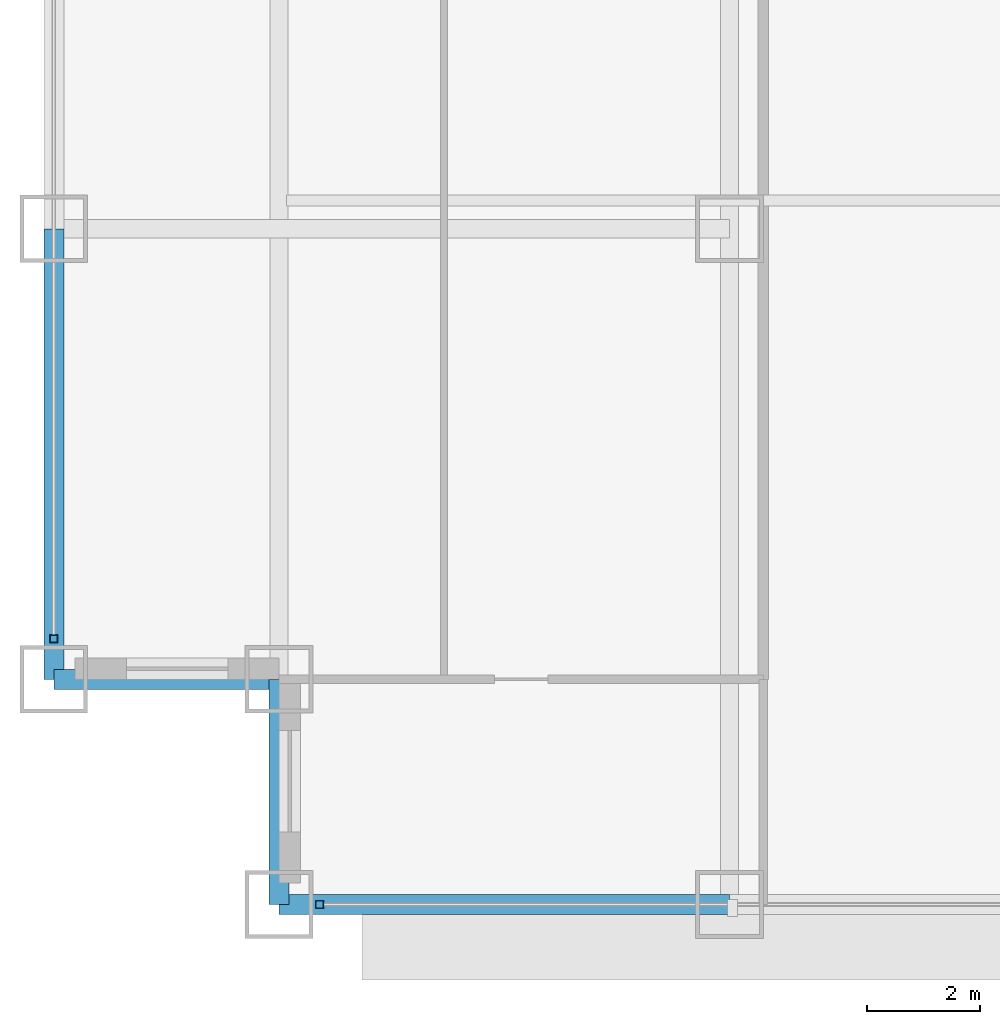
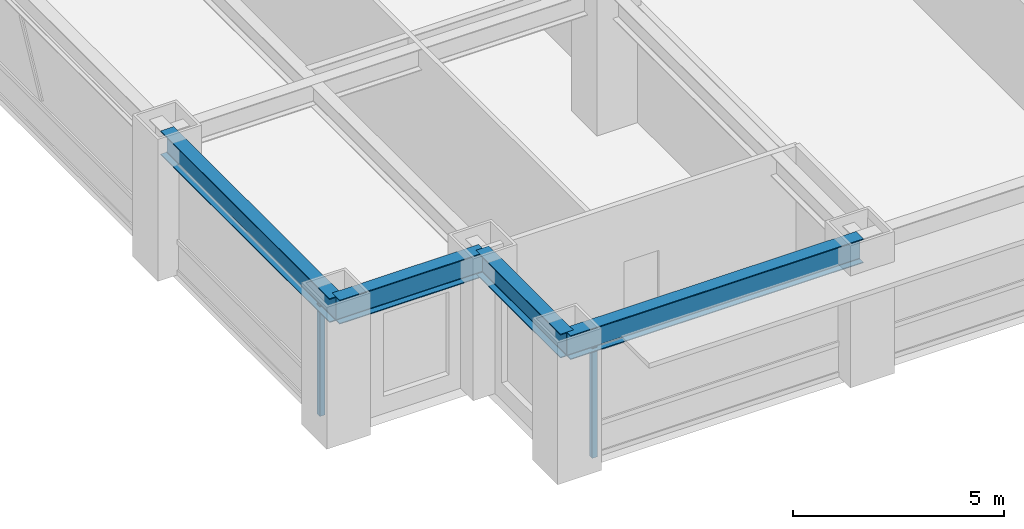
# One storey, part 2 of 32: 4 beams, 2 members, 2 elements without a shape of their own.
"""IFC4 building model written with IfcOpenShell, lengths in metres."""

import ifcopenshell
import ifcopenshell.guid

model = None  # the IFC model being written
_history = None  # IfcOwnerHistory: only IFC2X3 demands one
_inside = {}  # id of a spatial element -> (the spatial element, [elements in it])
_under = {}  # id of a project, library or spatial element -> (it, [spatial elements below it])
_declared = {}  # id of a project -> (the project, [libraries it declares])
_typed = {}  # id of a type object -> (the type object, [elements of that type])
_made_of = {}  # id of a material, layer set ... -> (it, [elements and type objects made of it])


def new_model(schema):
    """Start an empty IFC model of exactly this schema.

    Asked for "IFC4X3", IfcOpenShell would pick the latest addendum, in which some entities
    have other attributes; the version numbers below select the first issue.
    IFC2X3 requires an IfcOwnerHistory on every rooted entity: one is made here for all.
    """
    global model, _history
    if schema == "IFC4X3":
        model = ifcopenshell.file(schema_version=(4, 3, 0, 0))
    else:
        model = ifcopenshell.file(schema=schema)
    _inside.clear()
    _under.clear()
    _declared.clear()
    _typed.clear()
    _made_of.clear()
    _history = None
    if model.schema == "IFC2X3":
        org = make("IfcOrganization", Name="unknown")
        user = make(
            "IfcPersonAndOrganization",
            ThePerson=make("IfcPerson", FamilyName="unknown"),
            TheOrganization=org,
        )
        app = make(
            "IfcApplication",
            ApplicationDeveloper=org,
            Version="unknown",
            ApplicationFullName="unknown",
            ApplicationIdentifier="unknown",
        )
        _history = make(
            "IfcOwnerHistory",
            OwningUser=user,
            OwningApplication=app,
            ChangeAction="ADDED",
            CreationDate=0,
        )
    return model


def make(cls, **values):
    """One entity of the class cls with the attributes given. An attribute that is None is left unset."""
    return model.create_entity(
        cls, **{name: value for name, value in values.items() if value is not None}
    )


def rooted(cls, **values):
    """An entity with a GlobalId (a new one), such as an element, a storey or a relation."""
    return make(cls, GlobalId=ifcopenshell.guid.new(), OwnerHistory=_history, **values)


def si_unit(unit_type, name, prefix=None):
    """IfcSIUnit, for example si_unit("LENGTHUNIT", "METRE", prefix="MILLI")."""
    return make("IfcSIUnit", UnitType=unit_type, Prefix=prefix, Name=name)


def assignment(units):
    """IfcUnitAssignment: the units of a project."""
    return None if units is None else make("IfcUnitAssignment", Units=units)


def point(xyz):
    """IfcCartesianPoint."""
    return None if xyz is None else make("IfcCartesianPoint", Coordinates=xyz)


def direction(xyz):
    """IfcDirection."""
    return None if xyz is None else make("IfcDirection", DirectionRatios=xyz)


def frame(location, z_axis=None, x_axis=None):
    """IfcAxis2Placement3D, a coordinate frame: its origin and axes. An axis left out is left unset."""
    return make(
        "IfcAxis2Placement3D",
        Location=point(location),
        Axis=direction(z_axis),
        RefDirection=direction(x_axis),
    )


def frame_2d(location, x_axis=None):
    """IfcAxis2Placement2D, a coordinate frame in the plane: its origin and x axis."""
    return make(
        "IfcAxis2Placement2D", Location=point(location), RefDirection=direction(x_axis)
    )


def origin():
    """The frame at (0, 0, 0) with its axes left unset."""
    return frame((0.0, 0.0, 0.0))


def origin_2d():
    """The frame at (0, 0) in the plane with its x axis left unset."""
    return frame_2d((0.0, 0.0))


def place(relative_to, where):
    """IfcLocalPlacement: puts the frame where relative to a parent placement (None: the world)."""
    return make(
        "IfcLocalPlacement", PlacementRelTo=relative_to, RelativePlacement=where
    )


def context(
    kind, dimensions, precision=None, world=None, true_north=None, identifier=None
):
    """IfcGeometricRepresentationContext, for example the 3D "Model" context."""
    return make(
        "IfcGeometricRepresentationContext",
        ContextIdentifier=identifier,
        ContextType=kind,
        CoordinateSpaceDimension=dimensions,
        Precision=precision,
        WorldCoordinateSystem=world,
        TrueNorth=true_north,
    )


def subcontext(parent, identifier, kind, view, scale=None):
    """IfcGeometricRepresentationSubContext, for example "Body" below "Model"."""
    return make(
        "IfcGeometricRepresentationSubContext",
        ContextIdentifier=identifier,
        ContextType=kind,
        ParentContext=parent,
        TargetScale=scale,
        TargetView=view,
    )


def project(units=None, contexts=None):
    """IfcProject with its units and contexts."""
    return rooted(
        "IfcProject",
        Name="project",
        RepresentationContexts=contexts,
        UnitsInContext=assignment(units),
    )


def spatial(cls, under=None, at=None, **own):
    """A site, building, storey or space (cls), placed at a placement, below another one or the project."""
    s = rooted(cls, ObjectPlacement=at, **own)
    if under is not None:
        _under.setdefault(under.id(), (under, []))[1].append(s)
    return s


def profile(cls, at=None, kind="AREA", **sizes):
    """A parametric profile (cls). Its sizes go by their IFC names, for example OverallWidth=200.0."""
    return make(cls, ProfileType=kind, Position=at, **sizes)


def hollow_rectangle(**sizes):
    """IfcRectangleHollowProfileDef."""
    return profile("IfcRectangleHollowProfileDef", **sizes)


def i_section(**sizes):
    """IfcIShapeProfileDef."""
    return profile("IfcIShapeProfileDef", **sizes)


def extrude(swept, where, along, depth):
    """IfcExtrudedAreaSolid: the profile swept, set in the frame where, extruded along a direction by depth."""
    return make(
        "IfcExtrudedAreaSolid",
        SweptArea=swept,
        Position=where,
        ExtrudedDirection=direction(along),
        Depth=depth,
    )


def shape(context_of_items, identifier, shape_type, items):
    """IfcShapeRepresentation: the items that make up one representation, for example the "Body"."""
    return make(
        "IfcShapeRepresentation",
        ContextOfItems=context_of_items,
        RepresentationIdentifier=identifier,
        RepresentationType=shape_type,
        Items=items,
    )


def source(mapping_origin, context_of_items, identifier, shape_type, items):
    """IfcRepresentationMap: a shape defined once, which mapped items show again and again."""
    return make(
        "IfcRepresentationMap",
        MappingOrigin=mapping_origin,
        MappedRepresentation=shape(context_of_items, identifier, shape_type, items),
    )


def transform(
    local_origin,
    x_axis=None,
    y_axis=None,
    z_axis=None,
    scale=None,
    scale2=None,
    scale3=None,
    uniform=True,
):
    """IfcCartesianTransformationOperator3D, or its non-uniform kind. x_axis, y_axis, z_axis: its Axis1, 2, 3."""
    if uniform:
        return make(
            "IfcCartesianTransformationOperator3D",
            Axis1=direction(x_axis),
            Axis2=direction(y_axis),
            LocalOrigin=point(local_origin),
            Scale=scale,
            Axis3=direction(z_axis),
        )
    return make(
        "IfcCartesianTransformationOperator3DnonUniform",
        Axis1=direction(x_axis),
        Axis2=direction(y_axis),
        LocalOrigin=point(local_origin),
        Scale=scale,
        Axis3=direction(z_axis),
        Scale2=scale2,
        Scale3=scale3,
    )


def mapped(mapping_source, mapping_target):
    """IfcMappedItem: shows the shape of a source again, moved by a transform."""
    return make(
        "IfcMappedItem", MappingSource=mapping_source, MappingTarget=mapping_target
    )


def material(Name=None, Category=None):
    """IfcMaterial."""
    return make("IfcMaterial", Name=Name, Category=Category)


def material_profile(
    of_material, cross_section, Name=None, Category=None, Priority=None
):
    """IfcMaterialProfile: a cross section and its material."""
    return make(
        "IfcMaterialProfile",
        Name=Name,
        Material=of_material,
        Profile=cross_section,
        Priority=Priority,
        Category=Category,
    )


def profile_set(profiles, Name=None, composite=None):
    """IfcMaterialProfileSet."""
    return make(
        "IfcMaterialProfileSet",
        Name=Name,
        MaterialProfiles=profiles,
        CompositeProfile=composite,
    )


def made_of(thing, what):
    """Note that an element or type object is made of a material, layer set ...; save() writes the relation."""
    if what is not None:
        _made_of.setdefault(what.id(), (what, []))[1].append(thing)
    return thing


def type_object(cls, material=None, **own):
    """A type object (cls), such as IfcWallType, which elements share."""
    return made_of(rooted(cls, **own), material)


def element(
    cls,
    number,
    at=None,
    inside=None,
    cuts=None,
    type_object=None,
    material=None,
    context=None,
    identifier="Body",
    shape_type=None,
    held_by="IfcProductDefinitionShape",
    body=None,
    shapes=None,
    **own,
):
    """One element of the class cls, such as IfcWall. Its Tag is "e" and its number.

    at: its placement. inside: the storey or other place that contains it. cuts: it is an
    opening in that element (IfcRelVoidsElement). A single representation is given by context,
    identifier, shape_type and body (its items); several are given by shapes. held_by: the class
    of the entity that holds the representations. save() writes the other relations.
    """
    e = rooted(cls, Tag="e%d" % number, ObjectPlacement=at, **own)
    if body is not None:
        shapes = [shape(context, identifier, shape_type, body)]
    if shapes is not None:
        e.Representation = make(held_by, Representations=shapes)
    if inside is not None:
        _inside.setdefault(inside.id(), (inside, []))[1].append(e)
    if cuts is not None:
        rooted(
            "IfcRelVoidsElement", RelatingBuildingElement=cuts, RelatedOpeningElement=e
        )
    if type_object is not None:
        _typed.setdefault(type_object.id(), (type_object, []))[1].append(e)
    return made_of(e, material)


def aggregate(whole, parts):
    """IfcRelAggregates: a whole, such as a stair, and the parts it consists of."""
    return rooted("IfcRelAggregates", RelatingObject=whole, RelatedObjects=parts)


def save(model, path):
    """Write the relations noted so far, then the file.

    IfcRelAggregates (storeys below a building ...), IfcRelContainedInSpatialStructure (elements
    in a storey), IfcRelDefinesByType, IfcRelAssociatesMaterial and IfcRelDeclares: one each for
    every whole, place, type object, material and project.
    """
    for whole, parts in _under.values():
        aggregate(whole, parts)
    for where, things in _inside.values():
        rooted(
            "IfcRelContainedInSpatialStructure",
            RelatedElements=things,
            RelatingStructure=where,
        )
    for kind, things in _typed.values():
        rooted("IfcRelDefinesByType", RelatedObjects=things, RelatingType=kind)
    for what, things in _made_of.values():
        rooted("IfcRelAssociatesMaterial", RelatedObjects=things, RelatingMaterial=what)
    for by, libraries in _declared.values():
        rooted("IfcRelDeclares", RelatingContext=by, RelatedDefinitions=libraries)
    model.write(path)


model = new_model("IFC4")

# Units and contexts
model_context = context("Model", 3, precision=1e-05, world=origin(), true_north=direction((0.0, 1.0)))
body_context = subcontext(model_context, "Body", "Model", "MODEL_VIEW")
ifc_project = project(units=[si_unit("LENGTHUNIT", "METRE"), si_unit("AREAUNIT", "SQUARE_METRE"), si_unit("VOLUMEUNIT", "CUBIC_METRE"), si_unit("PLANEANGLEUNIT", "RADIAN"), si_unit("MASSUNIT", "GRAM", prefix="KILO")], contexts=[model_context])

# Site, building, storey
site_placement = place(None, origin())
site = spatial("IfcSite", under=ifc_project, at=site_placement, CompositionType="ELEMENT")
building_placement = place(site_placement, origin())
building = spatial("IfcBuilding", under=site, at=building_placement, Name="Khorayat Bourse Tower", CompositionType="ELEMENT")
storey_placement = place(building_placement, frame((0.0, 0.0, 136.5)))
storey = spatial("IfcBuildingStorey", under=building, at=storey_placement, Name="L31", CompositionType="ELEMENT", Elevation=136.5)

# Beams
ifc_material_1 = material(Name="Steel ASTM A992 Grade 50", Category="steel")
ifc_material_profile_1 = material_profile(ifc_material_1, i_section(OverallWidth=0.35498046875, OverallDepth=0.695068359375, WebThickness=0.015380859375, FlangeThickness=0.02490234375, FilletRadius=0.01806640625, at=origin_2d()), Name="W690X217")
ifc_profile_set_1 = profile_set([ifc_material_profile_1], Name="Steel ASTM A992 Grade 50")
beam_type = type_object("IfcBeamType", Name="BM-SPAN-690", PredefinedType="SPANDREL", material=ifc_profile_set_1)
shared_shape_1 = source(origin(), body_context, "Body", "SweptSolid", [
    extrude(i_section(OverallWidth=0.35498046875, OverallDepth=0.695068359375, WebThickness=0.015380859375, FlangeThickness=0.02490234375, FilletRadius=0.01806640625, at=origin_2d()), origin(), (0.0, 0.0, 1.0), 8.0),
])
for number, where, z_axis, x_axis, name in (
    (1, (-28.0, -32.0, 3.492431640625), (1.0, 0.0, 0.0), (0.0, 1.0, 0.0), "L31 BM-SPAN-690 BM-L31-SPN-024"),
    (2, (-32.0, -28.0, 3.492431640625), (0.0, 1.0, 0.0), (-1.0, 0.0, 0.0), "L31 BM-SPAN-690 BM-L31-SPN-061"),
):
    element("IfcBeam", number, at=place(storey_placement, frame(where, z_axis=z_axis, x_axis=x_axis)), inside=storey, type_object=beam_type, Name=name, PredefinedType="SPANDREL", context=body_context, shape_type="MappedRepresentation", body=[
        mapped(shared_shape_1, transform((0.0, 0.0, 0.0), scale=1.0)),
    ])
shared_shape_2 = source(origin(), body_context, "Body", "SweptSolid", [
    extrude(i_section(OverallWidth=0.35498046875, OverallDepth=0.695068359375, WebThickness=0.015380859375, FlangeThickness=0.02490234375, FilletRadius=0.01806640625, at=origin_2d()), origin(), (0.0, 0.0, 1.0), 4.0),
])
for number, where, z_axis, x_axis, name in (
    (3, (-32.0, -28.0, 3.492431640625), (1.0, 0.0, 0.0), (0.0, 1.0, 0.0), "L31 BM-SPAN-690 BM-L31-SPN-062"),
    (4, (-28.0, -32.0, 3.492431640625), (0.0, 1.0, 0.0), (-1.0, 0.0, 0.0), "L31 BM-SPAN-690 BM-L31-SPN-063"),
):
    element("IfcBeam", number, at=place(storey_placement, frame(where, z_axis=z_axis, x_axis=x_axis)), inside=storey, type_object=beam_type, Name=name, PredefinedType="SPANDREL", context=body_context, shape_type="MappedRepresentation", body=[
        mapped(shared_shape_2, transform((0.0, 0.0, 0.0), scale=1.0)),
    ])

# Curtain wall, member
ifc_material_2 = material(Name="Aluminium EN AW-6063 T6", Category="aluminium")
curtain_wall_type = type_object("IfcCurtainWallType", Name="CW-SYS-02", PredefinedType="NOTDEFINED", material=ifc_material_2)
curtain_wall_1_placement = place(storey_placement, origin())
curtain_wall_1 = element("IfcCurtainWall", 5, at=curtain_wall_1_placement, inside=storey, type_object=curtain_wall_type, Name="L31 Curtain Wall CW-L31-S1", PredefinedType="NOTDEFINED")
ifc_material_profile_2 = material_profile(ifc_material_2, hollow_rectangle(XDim=0.139892578125, YDim=0.139892578125, WallThickness=0.006103515625, at=origin_2d()), Name="ALU 140x140x6")
ifc_profile_set_2 = profile_set([ifc_material_profile_2], Name="Aluminium EN AW-6063 T6")
member_type = type_object("IfcMemberType", Name="CWM-VERT-140", PredefinedType="MULLION", material=ifc_profile_set_2)
shared_shape_3 = source(origin(), body_context, "Body", "SweptSolid", [
    extrude(hollow_rectangle(XDim=0.139892578125, YDim=0.139892578125, WallThickness=0.006103515625, at=origin_2d()), origin(), (0.0, 0.0, 1.0), 3.18994140625),
])
member_1_placement = place(storey_placement, frame((-27.280029296875, -32.0, 0.0), z_axis=(0.0, 0.0, 1.0), x_axis=(0.0, 1.0, 0.0)))
member_1 = element("IfcMember", 6, at=member_1_placement, type_object=member_type, Name="CW-L31-S1 Vertical Mullion 1", PredefinedType="MULLION", context=body_context, shape_type="MappedRepresentation", body=[
    mapped(shared_shape_3, transform((0.0, 0.0, 0.0), scale=1.0)),
])
aggregate(curtain_wall_1, [member_1])

curtain_wall_2_placement = place(storey_placement, origin())
curtain_wall_2 = element("IfcCurtainWall", 7, at=curtain_wall_2_placement, inside=storey, type_object=curtain_wall_type, Name="L31 Curtain Wall CW-L31-W1", PredefinedType="NOTDEFINED")
member_2_placement = place(storey_placement, frame((-32.0, -27.280029296875, 0.0), z_axis=(0.0, 0.0, 1.0), x_axis=(-1.0, 0.0, 0.0)))
member_2 = element("IfcMember", 8, at=member_2_placement, type_object=member_type, Name="CW-L31-W1 Vertical Mullion 1", PredefinedType="MULLION", context=body_context, shape_type="MappedRepresentation", body=[
    mapped(shared_shape_3, transform((0.0, 0.0, 0.0), scale=1.0)),
])
aggregate(curtain_wall_2, [member_2])

save(model, "model.ifc")
